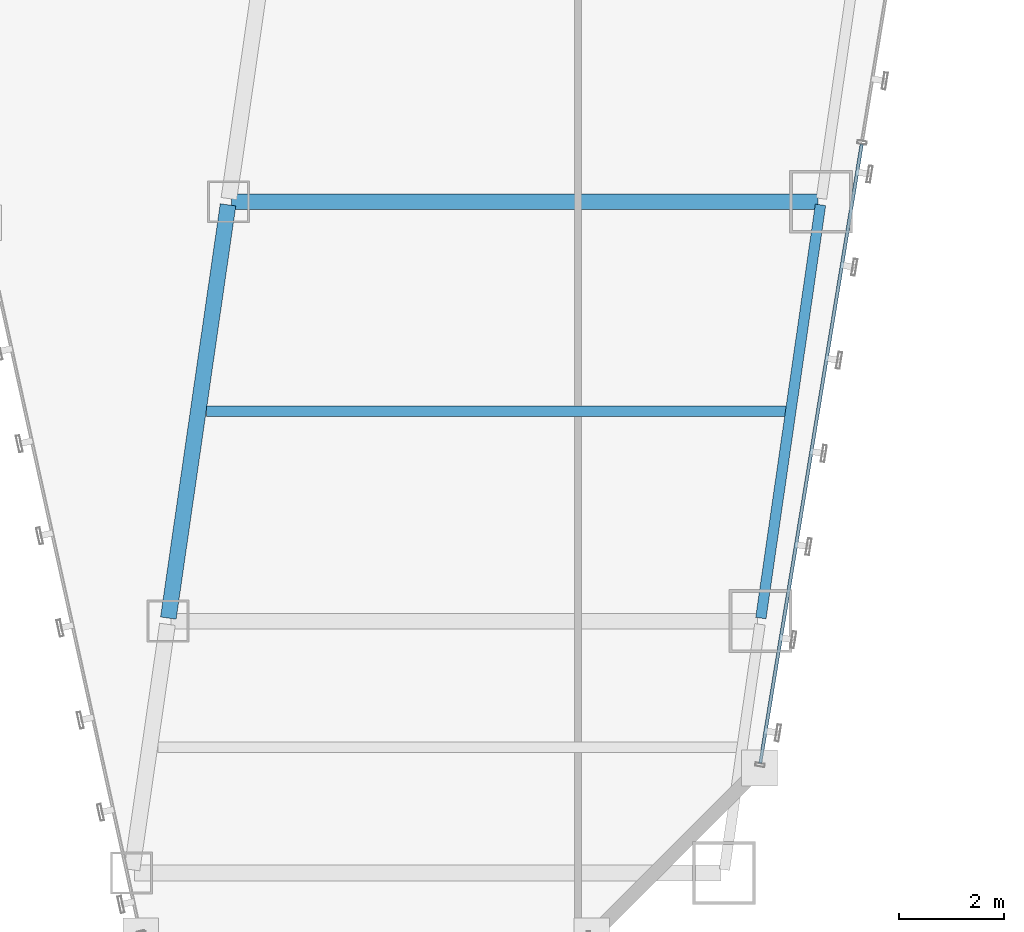
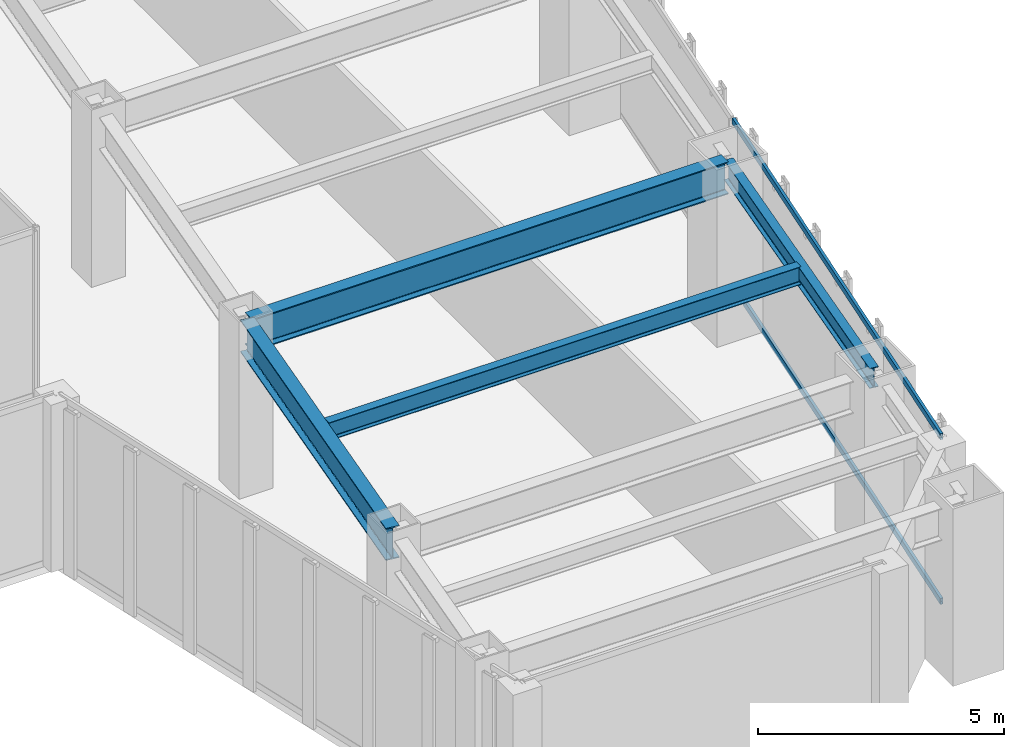
# One storey, part 16 of 47: 4 beams, 2 members, 1 element without a shape of its own.
"""IFC4 building model written with IfcOpenShell, lengths in metres."""

from ifc_helpers import new_model, si_unit, direction, frame, origin, origin_2d, place, context, subcontext, project, spatial, hollow_rectangle, i_section, extrude, material, material_profile, profile_set, type_object, element, aggregate, save


model = new_model("IFC4")

# Units and contexts
model_context = context("Model", 3, precision=1e-05, world=origin(), true_north=direction((0.0, 1.0)))
body_context = subcontext(model_context, "Body", "Model", "MODEL_VIEW")
ifc_project = project(units=[si_unit("LENGTHUNIT", "METRE"), si_unit("AREAUNIT", "SQUARE_METRE"), si_unit("VOLUMEUNIT", "CUBIC_METRE"), si_unit("PLANEANGLEUNIT", "RADIAN"), si_unit("MASSUNIT", "GRAM", prefix="KILO")], contexts=[model_context])

# Site, building, storey
site_placement = place(None, origin())
site = spatial("IfcSite", under=ifc_project, at=site_placement, CompositionType="ELEMENT")
building_placement = place(site_placement, origin())
building = spatial("IfcBuilding", under=site, at=building_placement, Name="Saevonmaru Cultural Tower", CompositionType="ELEMENT")
storey_placement = place(building_placement, frame((0.0, 0.0, 78.0)))
storey = spatial("IfcBuildingStorey", under=building, at=storey_placement, Name="L16", CompositionType="ELEMENT", Elevation=78.0)

# Beams
ifc_material_1 = material(Name="Steel SM420", Category="steel")
ifc_material_profile_1 = material_profile(ifc_material_1, i_section(OverallWidth=0.300048828125, OverallDepth=0.800048828125, WebThickness=0.013916015625, FlangeThickness=0.02587890625, FilletRadius=0.028076171875, at=origin_2d()), Name="H-800x300x14x26")
ifc_profile_set_1 = profile_set([ifc_material_profile_1], Name="Steel SM420")
beam_type_1 = type_object("IfcBeamType", Name="BM-G-H800", PredefinedType="BEAM", material=ifc_profile_set_1)
beam_1_placement = place(storey_placement, frame((36.925537109375, 8.059326171875, 3.75), z_axis=(0.142902032203, 0.989736838353, 0.0), x_axis=(-0.989736838353, 0.142902032203, 0.0)))
element("IfcBeam", 1, at=beam_1_placement, inside=storey, type_object=beam_type_1, Name="L16 East Atrium Girder 2", PredefinedType="BEAM", context=body_context, shape_type="SweptSolid", body=[
    extrude(i_section(OverallWidth=0.300048828125, OverallDepth=0.800048828125, WebThickness=0.013916015625, FlangeThickness=0.02587890625, FilletRadius=0.028076171875, at=origin_2d()), origin(), (0.0, 0.0, 1.0), 7.963134765625),
])
beam_2_placement = place(storey_placement, frame((38.132080078125, 16.0, 3.75), z_axis=(1.0, 0.0, 0.0), x_axis=(0.0, 1.0, 0.0)))
element("IfcBeam", 2, at=beam_2_placement, inside=storey, type_object=beam_type_1, Name="L16 East Wing Transverse Girder 3", PredefinedType="BEAM", context=body_context, shape_type="SweptSolid", body=[
    extrude(i_section(OverallWidth=0.300048828125, OverallDepth=0.800048828125, WebThickness=0.013916015625, FlangeThickness=0.02587890625, FilletRadius=0.028076171875, at=origin_2d()), origin(), (0.0, 0.0, 1.0), 11.179931640625),
])
ifc_material_2 = material(Name="Steel SM355", Category="steel")
ifc_material_profile_2 = material_profile(ifc_material_2, i_section(OverallWidth=0.199951171875, OverallDepth=0.449951171875, WebThickness=0.009033203125, FlangeThickness=0.013916015625, FilletRadius=0.01806640625, at=origin_2d()), Name="H-450x200x9x14")
ifc_profile_set_2 = profile_set([ifc_material_profile_2], Name="Steel SM355")
beam_type_2 = type_object("IfcBeamType", Name="BM-J-H450", PredefinedType="JOIST", material=ifc_profile_set_2)
beam_3_placement = place(storey_placement, frame((37.652587890625, 12.0, 3.925048828125), z_axis=(1.0, 0.0, 0.0), x_axis=(0.0, 1.0, 0.0)))
element("IfcBeam", 3, at=beam_3_placement, inside=storey, type_object=beam_type_2, Name="L16 East Wing Floor Joist 2", PredefinedType="JOIST", context=body_context, shape_type="SweptSolid", body=[
    extrude(i_section(OverallWidth=0.199951171875, OverallDepth=0.449951171875, WebThickness=0.009033203125, FlangeThickness=0.013916015625, FilletRadius=0.01806640625, at=origin_2d()), origin(), (0.0, 0.0, 1.0), 11.08203125),
])
ifc_material_profile_3 = material_profile(ifc_material_2, i_section(OverallWidth=0.199951171875, OverallDepth=0.5, WebThickness=0.010009765625, FlangeThickness=0.01611328125, FilletRadius=0.02001953125, at=origin_2d()), Name="H-500x200x10x16")
ifc_profile_set_3 = profile_set([ifc_material_profile_3], Name="Steel SM355")
beam_type_3 = type_object("IfcBeamType", Name="BM-SP-H500", PredefinedType="SPANDREL", material=ifc_profile_set_3)
beam_4_placement = place(storey_placement, frame((48.2255859375, 8.059326171875, 3.89990234375), z_axis=(0.142871999001, 0.989741174197, 0.0), x_axis=(-0.989741174197, 0.142871999001, 0.0)))
element("IfcBeam", 4, at=beam_4_placement, inside=storey, type_object=beam_type_3, Name="L16 East Splayed Spandrel 2", PredefinedType="SPANDREL", context=body_context, shape_type="SweptSolid", body=[
    extrude(i_section(OverallWidth=0.199951171875, OverallDepth=0.5, WebThickness=0.010009765625, FlangeThickness=0.01611328125, FilletRadius=0.02001953125, at=origin_2d()), origin(), (0.0, 0.0, 1.0), 7.963134765625),
])

# Curtain wall, members
ifc_material_3 = material(Name="Satin Bronze Anodised Aluminium", Category="aluminium")
curtain_wall_type = type_object("IfcCurtainWallType", Name="CW-TYP-A", PredefinedType="NOTDEFINED", material=ifc_material_3)
curtain_wall_placement = place(storey_placement, origin())
curtain_wall = element("IfcCurtainWall", 5, at=curtain_wall_placement, inside=storey, type_object=curtain_wall_type, Name="L16 Unitised Curtain Wall E8", PredefinedType="NOTDEFINED")
ifc_material_profile_4 = material_profile(ifc_material_3, hollow_rectangle(XDim=0.06494140625, YDim=0.14990234375, WallThickness=0.00390625, at=origin_2d()), Name="ALU-TRAN-150x65x4")
ifc_profile_set_4 = profile_set([ifc_material_profile_4], Name="Satin Bronze Anodised Aluminium")
member_type = type_object("IfcMemberType", Name="TR-CW-150x65", PredefinedType="USERDEFINED", material=ifc_profile_set_4)
member_1_placement = place(storey_placement, frame((48.21484375, 5.291259765625, 0.032470703125), z_axis=(0.161724530373, 0.986835941925, 0.0), x_axis=(-0.986835941925, 0.161724530373, 0.0)))
member_1 = element("IfcMember", 6, at=member_1_placement, type_object=member_type, Name="CW-TW-L16-E8 transom 1.1", ObjectType="TRANSOM", PredefinedType="USERDEFINED", context=body_context, shape_type="SweptSolid", body=[
    extrude(hollow_rectangle(XDim=0.06494140625, YDim=0.14990234375, WallThickness=0.00390625, at=origin_2d()), origin(), (0.0, 0.0, 1.0), 11.963623046875),
])
member_2_placement = place(storey_placement, frame((48.21484375, 5.291259765625, 4.117431640625), z_axis=(0.161724530373, 0.986835941925, 0.0), x_axis=(-0.986835941925, 0.161724530373, 0.0)))
member_2 = element("IfcMember", 7, at=member_2_placement, type_object=member_type, Name="CW-TW-L16-E8 transom 1.2", ObjectType="TRANSOM", PredefinedType="USERDEFINED", context=body_context, shape_type="SweptSolid", body=[
    extrude(hollow_rectangle(XDim=0.06494140625, YDim=0.14990234375, WallThickness=0.00390625, at=origin_2d()), origin(), (0.0, 0.0, 1.0), 11.963623046875),
])
aggregate(curtain_wall, [member_1, member_2])

save(model, "model.ifc")
